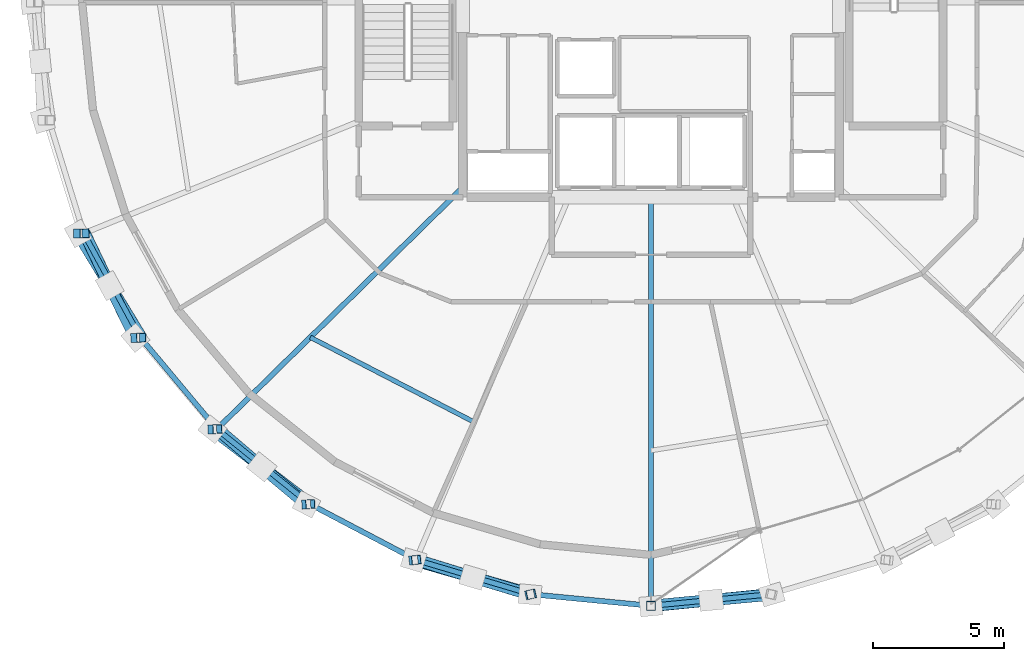
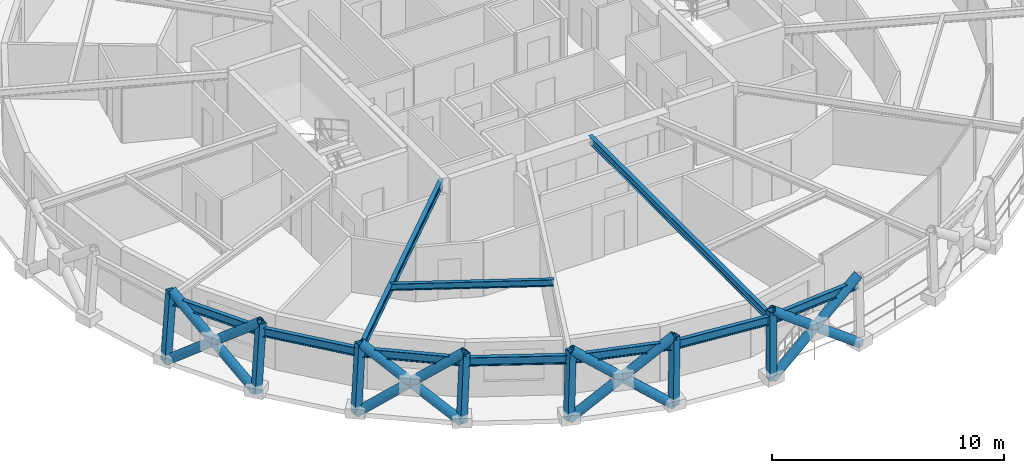
# One storey, part 1 of 16: 19 members, 10 beams.
"""IFC4 building model written with IfcOpenShell, lengths in metres."""

from ifc_helpers import new_model, si_unit, direction, frame, origin, origin_2d, place, context, subcontext, project, spatial, hollow_rectangle, hollow_circle, i_section, extrude, material, material_profile, profile_set, type_object, element, save


model = new_model("IFC4")

# Units and contexts
model_context = context("Model", 3, precision=1e-05, world=origin(), true_north=direction((0.0, 1.0)))
body_context = subcontext(model_context, "Body", "Model", "MODEL_VIEW")
ifc_project = project(units=[si_unit("LENGTHUNIT", "METRE"), si_unit("AREAUNIT", "SQUARE_METRE"), si_unit("VOLUMEUNIT", "CUBIC_METRE"), si_unit("PLANEANGLEUNIT", "RADIAN"), si_unit("MASSUNIT", "GRAM", prefix="KILO")], contexts=[model_context])

# Site, building, storey
site_placement = place(None, origin())
site = spatial("IfcSite", under=ifc_project, at=site_placement, CompositionType="ELEMENT")
building_placement = place(site_placement, origin())
building = spatial("IfcBuilding", under=site, at=building_placement, Name="Veldorina Hangang Commons", CompositionType="ELEMENT")
storey_placement = place(building_placement, frame((0.0, 0.0, 240.0)))
storey = spatial("IfcBuildingStorey", under=building, at=storey_placement, Name="L62", CompositionType="ELEMENT", Elevation=240.0)

# Beams
ifc_material = material(Name="Steel SM355-TMC", Category="steel")
ifc_material_profile_1 = material_profile(ifc_material, i_section(OverallWidth=0.199951171875, OverallDepth=0.39990234375, WebThickness=0.008056640625, FlangeThickness=0.012939453125, FilletRadius=0.012939453125, at=origin_2d()), Name="H-400x200x8x13")
ifc_profile_set_1 = profile_set([ifc_material_profile_1], Name="Steel SM355-TMC")
beam_type_1 = type_object("IfcBeamType", Name="BM-FG400", PredefinedType="BEAM", material=ifc_profile_set_1)
beam_1_placement = place(storey_placement, frame((24.800048828125, 16.92431640625, 3.159912109375), z_axis=(-0.713224264229, -0.700935909278, 0.0), x_axis=(0.700935909278, -0.713224264229, 0.0)))
element("IfcBeam", 1, at=beam_1_placement, inside=storey, type_object=beam_type_1, Name="L62 radial floor girder 11", PredefinedType="BEAM", context=body_context, shape_type="SweptSolid", body=[
    extrude(i_section(OverallWidth=0.199951171875, OverallDepth=0.39990234375, WebThickness=0.008056640625, FlangeThickness=0.012939453125, FilletRadius=0.012939453125, at=origin_2d()), origin(), (0.0, 0.0, 1.0), 13.192138671875),
])
beam_2_placement = place(storey_placement, frame((32.0, 16.550048828125, 3.159912109375), z_axis=(0.0, -1.0, 0.0), x_axis=(1.0, 0.0, 0.0)))
element("IfcBeam", 2, at=beam_2_placement, inside=storey, type_object=beam_type_1, Name="L62 radial floor girder 13", PredefinedType="BEAM", context=body_context, shape_type="SweptSolid", body=[
    extrude(i_section(OverallWidth=0.199951171875, OverallDepth=0.39990234375, WebThickness=0.008056640625, FlangeThickness=0.012939453125, FilletRadius=0.012939453125, at=origin_2d()), origin(), (0.0, 0.0, 1.0), 15.633544921875),
])
ifc_material_profile_2 = material_profile(ifc_material, i_section(OverallWidth=0.175048828125, OverallDepth=0.35009765625, WebThickness=0.007080078125, FlangeThickness=0.010986328125, FilletRadius=0.012939453125, at=origin_2d()), Name="H-350x175x7x11")
ifc_profile_set_2 = profile_set([ifc_material_profile_2], Name="Steel SM355-TMC")
beam_type_2 = type_object("IfcBeamType", Name="BM-JST350", PredefinedType="JOIST", material=ifc_profile_set_2)
beam_3_placement = place(storey_placement, frame((18.966552734375, 11.19140625, 3.18505859375), z_axis=(0.888049646343, -0.45974756729, 0.0), x_axis=(0.45974756729, 0.888049646343, 0.0)))
element("IfcBeam", 3, at=beam_3_placement, inside=storey, type_object=beam_type_2, Name="L62 secondary floor joist 11", PredefinedType="JOIST", context=body_context, shape_type="SweptSolid", body=[
    extrude(i_section(OverallWidth=0.175048828125, OverallDepth=0.35009765625, WebThickness=0.007080078125, FlangeThickness=0.010986328125, FilletRadius=0.012939453125, at=origin_2d()), origin(), (0.0, 0.0, 1.0), 7.057373046875),
])
ifc_material_profile_3 = material_profile(ifc_material, i_section(OverallWidth=0.199951171875, OverallDepth=0.449951171875, WebThickness=0.009033203125, FlangeThickness=0.013916015625, FilletRadius=0.01611328125, at=origin_2d()), Name="H-450x200x9x14")
ifc_profile_set_3 = profile_set([ifc_material_profile_3], Name="Steel SM355-TMC")
beam_type_3 = type_object("IfcBeamType", Name="BM-RB450", PredefinedType="BEAM", material=ifc_profile_set_3)
beam_4_placement = place(storey_placement, frame((10.299560546875, 15.16650390625, 3.135009765625), z_axis=(0.477793774257, -0.878472031018, 0.0), x_axis=(0.878472031018, 0.477793774257, 0.0)))
element("IfcBeam", 4, at=beam_4_placement, inside=storey, type_object=beam_type_3, Name="L62 perimeter hoop ring beam 18", PredefinedType="BEAM", context=body_context, shape_type="SweptSolid", body=[
    extrude(i_section(OverallWidth=0.199951171875, OverallDepth=0.449951171875, WebThickness=0.009033203125, FlangeThickness=0.013916015625, FilletRadius=0.01611328125, at=origin_2d()), origin(), (0.0, 0.0, 1.0), 4.54296875),
])
beam_5_placement = place(storey_placement, frame((12.47021484375, 11.175537109375, 3.135009765625), z_axis=(0.640942886525, -0.767588572227, 0.0), x_axis=(0.767588572227, 0.640942886525, 0.0)))
element("IfcBeam", 5, at=beam_5_placement, inside=storey, type_object=beam_type_3, Name="L62 perimeter hoop ring beam 19", PredefinedType="BEAM", context=body_context, shape_type="SweptSolid", body=[
    extrude(i_section(OverallWidth=0.199951171875, OverallDepth=0.449951171875, WebThickness=0.009033203125, FlangeThickness=0.013916015625, FilletRadius=0.01611328125, at=origin_2d()), origin(), (0.0, 0.0, 1.0), 4.55712890625),
])
beam_6_placement = place(storey_placement, frame((15.39111328125, 7.677490234375, 3.135009765625), z_axis=(0.778414722613, -0.627750364093, 0.0), x_axis=(0.627750364093, 0.778414722613, 0.0)))
element("IfcBeam", 6, at=beam_6_placement, inside=storey, type_object=beam_type_3, Name="L62 perimeter hoop ring beam 20", PredefinedType="BEAM", context=body_context, shape_type="SweptSolid", body=[
    extrude(i_section(OverallWidth=0.199951171875, OverallDepth=0.449951171875, WebThickness=0.009033203125, FlangeThickness=0.013916015625, FilletRadius=0.01611328125, at=origin_2d()), origin(), (0.0, 0.0, 1.0), 4.57275390625),
])
beam_7_placement = place(storey_placement, frame((18.95068359375, 4.806884765625, 3.135009765625), z_axis=(0.885295472957, -0.465028951315, 0.0), x_axis=(0.465028951315, 0.885295472957, 0.0)))
element("IfcBeam", 7, at=beam_7_placement, inside=storey, type_object=beam_type_3, Name="L62 perimeter hoop ring beam 21", PredefinedType="BEAM", context=body_context, shape_type="SweptSolid", body=[
    extrude(i_section(OverallWidth=0.199951171875, OverallDepth=0.449951171875, WebThickness=0.009033203125, FlangeThickness=0.013916015625, FilletRadius=0.01611328125, at=origin_2d()), origin(), (0.0, 0.0, 1.0), 4.5869140625),
])
beam_8_placement = place(storey_placement, frame((23.011474609375, 2.673828125, 3.135009765625), z_axis=(0.958308680309, -0.285734970286, 0.0), x_axis=(0.285734970286, 0.958308680309, 0.0)))
element("IfcBeam", 8, at=beam_8_placement, inside=storey, type_object=beam_type_3, Name="L62 perimeter hoop ring beam 22", PredefinedType="BEAM", context=body_context, shape_type="SweptSolid", body=[
    extrude(i_section(OverallWidth=0.199951171875, OverallDepth=0.449951171875, WebThickness=0.009033203125, FlangeThickness=0.013916015625, FilletRadius=0.01611328125, at=origin_2d()), origin(), (0.0, 0.0, 1.0), 4.59765625),
])
for number, where, z_axis, x_axis, name in (
    (9, (27.41748046875, 1.360107421875, 3.135009765625), (0.995347225036, -0.096353005215, 0.0), (0.096353005215, 0.995347225036, 0.0), "L62 perimeter hoop ring beam 23"),
    (10, (32.0, 0.91650390625, 3.135009765625), (0.995347225036, 0.096353005215, 0.0), (-0.096353005215, 0.995347225036, 0.0), "L62 perimeter hoop ring beam 24"),
):
    element("IfcBeam", number, at=place(storey_placement, frame(where, z_axis=z_axis, x_axis=x_axis)), inside=storey, type_object=beam_type_3, Name=name, PredefinedType="BEAM", context=body_context, shape_type="SweptSolid", body=[
        extrude(i_section(OverallWidth=0.199951171875, OverallDepth=0.449951171875, WebThickness=0.009033203125, FlangeThickness=0.013916015625, FilletRadius=0.01611328125, at=origin_2d()), origin(), (0.0, 0.0, 1.0), 4.60400390625),
    ])

# Members
ifc_material_profile_4 = material_profile(ifc_material, hollow_circle(Radius=0.22509765625, WallThickness=0.02197265625, at=origin_2d()), Name="CHS-450x22")
ifc_profile_set_4 = profile_set([ifc_material_profile_4], Name="Steel SM355-TMC")
member_type_1 = type_object("IfcMemberType", Name="DG-CHS450", PredefinedType="BRACE", material=ifc_profile_set_4)
member_1_placement = place(storey_placement, frame((10.08056640625, 15.162353515625, 0.0), z_axis=(0.410646455458, -0.676646551454, 0.611161953188), x_axis=(0.854885394744, 0.51881688663, 0.0)))
element("IfcMember", 11, at=member_1_placement, inside=storey, type_object=member_type_1, Name="L62 continuous perimeter diagrid brace 18", PredefinedType="BRACE", context=body_context, shape_type="SweptSolid", body=[
    extrude(hollow_circle(Radius=0.22509765625, WallThickness=0.02197265625, at=origin_2d()), origin(), (0.0, 0.0, 1.0), 5.890625),
])
member_2_placement = place(storey_placement, frame((12.273193359375, 11.169677734375, 0.0), z_axis=(-0.342747567663, 0.697261096604, 0.629564188962), x_axis=(-0.897435440725, -0.44114581459, 0.0)))
element("IfcMember", 12, at=member_2_placement, inside=storey, type_object=member_type_1, Name="L62 split perimeter diagrid lower brace 19", PredefinedType="BRACE", context=body_context, shape_type="SweptSolid", body=[
    extrude(hollow_circle(Radius=0.22509765625, WallThickness=0.02197265625, at=origin_2d()), origin(), (0.0, 0.0, 1.0), 2.863525390625),
])
member_3_placement = place(storey_placement, frame((11.291748046875, 13.166259765625, 1.802734375), z_axis=(-0.336081333869, 0.70063254415, 0.629415105556), x_axis=(-0.901634623813, -0.432498560855, 0.0)))
element("IfcMember", 13, at=member_3_placement, inside=storey, type_object=member_type_1, Name="L62 split perimeter diagrid upper brace 19", PredefinedType="BRACE", context=body_context, shape_type="SweptSolid", body=[
    extrude(hollow_circle(Radius=0.22509765625, WallThickness=0.02197265625, at=origin_2d()), origin(), (0.0, 0.0, 1.0), 2.855712890625),
])
member_4_placement = place(storey_placement, frame((15.2236328125, 7.670166015625, 0.0), z_axis=(0.631585229019, -0.482475800846, 0.606891423636), x_axis=(0.607052161522, 0.794661986754, 0.0)))
element("IfcMember", 14, at=member_4_placement, inside=storey, type_object=member_type_1, Name="L62 continuous perimeter diagrid brace 20", PredefinedType="BRACE", context=body_context, shape_type="SweptSolid", body=[
    extrude(hollow_circle(Radius=0.22509765625, WallThickness=0.02197265625, at=origin_2d()), origin(), (0.0, 0.0, 1.0), 5.93212890625),
])
member_5_placement = place(storey_placement, frame((18.81884765625, 4.798095703125, 0.0), z_axis=(-0.596590203857, 0.499366209633, 0.628262299791), x_axis=(-0.641857564941, -0.76682388221, 0.0)))
element("IfcMember", 15, at=member_5_placement, inside=storey, type_object=member_type_1, Name="L62 split perimeter diagrid lower brace 21", PredefinedType="BRACE", context=body_context, shape_type="SweptSolid", body=[
    extrude(hollow_circle(Radius=0.22509765625, WallThickness=0.02197265625, at=origin_2d()), origin(), (0.0, 0.0, 1.0), 2.875244140625),
])
member_6_placement = place(storey_placement, frame((17.103515625, 6.23388671875, 1.806396484375), z_axis=(-0.59101348176, 0.506021091588, 0.628208340638), x_axis=(-0.650374957041, -0.759613332725, 0.0)))
element("IfcMember", 16, at=member_6_placement, inside=storey, type_object=member_type_1, Name="L62 split perimeter diagrid upper brace 21", PredefinedType="BRACE", context=body_context, shape_type="SweptSolid", body=[
    extrude(hollow_circle(Radius=0.22509765625, WallThickness=0.02197265625, at=origin_2d()), origin(), (0.0, 0.0, 1.0), 2.855224609375),
])
member_7_placement = place(storey_placement, frame((22.920654296875, 2.6640625, 0.0), z_axis=(0.761933739674, -0.22030326146, 0.609034850674), x_axis=(0.277759664082, 0.960650596736, 0.0)))
element("IfcMember", 17, at=member_7_placement, inside=storey, type_object=member_type_1, Name="L62 continuous perimeter diagrid brace 22", PredefinedType="BRACE", context=body_context, shape_type="SweptSolid", body=[
    extrude(hollow_circle(Radius=0.22509765625, WallThickness=0.02197265625, at=origin_2d()), origin(), (0.0, 0.0, 1.0), 5.9111328125),
])
member_8_placement = place(storey_placement, frame((27.371337890625, 1.349853515625, 0.0), z_axis=(-0.750423375396, 0.226375344459, 0.620982255045), x_axis=(-0.288808667074, -0.95738683604, 0.0)))
element("IfcMember", 18, at=member_8_placement, inside=storey, type_object=member_type_1, Name="L62 split perimeter diagrid lower brace 23", PredefinedType="BRACE", context=body_context, shape_type="SweptSolid", body=[
    extrude(hollow_circle(Radius=0.22509765625, WallThickness=0.02197265625, at=origin_2d()), origin(), (0.0, 0.0, 1.0), 2.9140625),
])
member_9_placement = place(storey_placement, frame((25.1845703125, 2.009521484375, 1.8095703125), z_axis=(-0.7490270518, 0.230906259356, 0.62099981889), x_axis=(-0.294594418262, -0.955622377683, 0.0)))
element("IfcMember", 19, at=member_9_placement, inside=storey, type_object=member_type_1, Name="L62 split perimeter diagrid upper brace 23", PredefinedType="BRACE", context=body_context, shape_type="SweptSolid", body=[
    extrude(hollow_circle(Radius=0.22509765625, WallThickness=0.02197265625, at=origin_2d()), origin(), (0.0, 0.0, 1.0), 2.88330078125),
])
member_10_placement = place(storey_placement, frame((32.0, 0.906005859375, 0.0), z_axis=(0.783494231571, 0.078052597532, 0.616477559295), x_axis=(-0.099130462045, 0.995074445202, 0.0)))
element("IfcMember", 20, at=member_10_placement, inside=storey, type_object=member_type_1, Name="L62 continuous perimeter diagrid brace 24", PredefinedType="BRACE", context=body_context, shape_type="SweptSolid", body=[
    extrude(hollow_circle(Radius=0.22509765625, WallThickness=0.02197265625, at=origin_2d()), origin(), (0.0, 0.0, 1.0), 5.83984375),
])
member_11_placement = place(storey_placement, frame((36.628662109375, 1.349853515625, 0.0), z_axis=(-0.787314837592, -0.072579941504, 0.612264239197), x_axis=(0.091797440922, -0.995777701016, 0.0)))
element("IfcMember", 21, at=member_11_placement, inside=storey, type_object=member_type_1, Name="L62 split perimeter diagrid lower brace 25", PredefinedType="BRACE", context=body_context, shape_type="SweptSolid", body=[
    extrude(hollow_circle(Radius=0.22509765625, WallThickness=0.02197265625, at=origin_2d()), origin(), (0.0, 0.0, 1.0), 2.956787109375),
])
member_12_placement = place(storey_placement, frame((34.30078125, 1.13525390625, 1.810302734375), z_axis=(-0.787123731075, -0.074252228027, 0.612309430445), x_axis=(0.093916667549, -0.995580061852, 0.0)))
element("IfcMember", 22, at=member_12_placement, inside=storey, type_object=member_type_1, Name="L62 split perimeter diagrid upper brace 25", PredefinedType="BRACE", context=body_context, shape_type="SweptSolid", body=[
    extrude(hollow_circle(Radius=0.22509765625, WallThickness=0.02197265625, at=origin_2d()), origin(), (0.0, 0.0, 1.0), 2.923095703125),
])
ifc_material_profile_5 = material_profile(ifc_material, hollow_rectangle(XDim=0.35009765625, YDim=0.35009765625, WallThickness=0.01611328125, at=origin_2d()), Name="SHS-350x350x16")
ifc_profile_set_5 = profile_set([ifc_material_profile_5], Name="Steel SM355-TMC")
member_type_2 = type_object("IfcMemberType", Name="STR-SHS350", PredefinedType="STRUT", material=ifc_profile_set_5)
member_13_placement = place(storey_placement, frame((10.08056640625, 15.162353515625, 0.0), z_axis=(0.069679618288, 0.001285352182, 0.997568593464), x_axis=(-0.018443464264, 0.999829904847, 0.0)))
element("IfcMember", 23, at=member_13_placement, inside=storey, type_object=member_type_2, Name="L62 perimeter ring node post 18", PredefinedType="STRUT", context=body_context, shape_type="SweptSolid", body=[
    extrude(hollow_rectangle(XDim=0.35009765625, YDim=0.35009765625, WallThickness=0.01611328125, at=origin_2d()), origin(), (0.0, 0.0, 1.0), 3.60888671875),
])
member_14_placement = place(storey_placement, frame((12.273193359375, 11.169677734375, 0.0), z_axis=(0.06274054137, 0.001895075683, 0.998028072329), x_axis=(-0.030191193071, 0.999544142027, 0.0)))
element("IfcMember", 24, at=member_14_placement, inside=storey, type_object=member_type_2, Name="L62 perimeter ring node post 19", PredefinedType="STRUT", context=body_context, shape_type="SweptSolid", body=[
    extrude(hollow_rectangle(XDim=0.35009765625, YDim=0.35009765625, WallThickness=0.01611328125, at=origin_2d()), origin(), (0.0, 0.0, 1.0), 3.607177734375),
])
member_15_placement = place(storey_placement, frame((15.2236328125, 7.670166015625, 0.0), z_axis=(0.053361933428, 0.002370136637, 0.99857242427), x_axis=(-0.04437249613, 0.999015055736, 0.0)))
element("IfcMember", 25, at=member_15_placement, inside=storey, type_object=member_type_2, Name="L62 perimeter ring node post 20", PredefinedType="STRUT", context=body_context, shape_type="SweptSolid", body=[
    extrude(hollow_rectangle(XDim=0.35009765625, YDim=0.35009765625, WallThickness=0.01611328125, at=origin_2d()), origin(), (0.0, 0.0, 1.0), 3.605224609375),
])
member_16_placement = place(storey_placement, frame((18.81884765625, 4.798095703125, 0.0), z_axis=(0.042008023539, 0.002777949944, 0.999113411457), x_axis=(-0.065984912024, 0.997820620846, 0.0)))
element("IfcMember", 26, at=member_16_placement, inside=storey, type_object=member_type_2, Name="L62 perimeter ring node post 21", PredefinedType="STRUT", context=body_context, shape_type="SweptSolid", body=[
    extrude(hollow_rectangle(XDim=0.35009765625, YDim=0.35009765625, WallThickness=0.01611328125, at=origin_2d()), origin(), (0.0, 0.0, 1.0), 3.603271484375),
])
member_17_placement = place(storey_placement, frame((22.920654296875, 2.6640625, 0.0), z_axis=(0.028944731861, 0.003118167835, 0.999576149939), x_axis=(-0.107108611239, 0.994247326071, 0.0)))
element("IfcMember", 27, at=member_17_placement, inside=storey, type_object=member_type_2, Name="L62 perimeter ring node post 22", PredefinedType="STRUT", context=body_context, shape_type="SweptSolid", body=[
    extrude(hollow_rectangle(XDim=0.35009765625, YDim=0.35009765625, WallThickness=0.01611328125, at=origin_2d()), origin(), (0.0, 0.0, 1.0), 3.6015625),
])
member_18_placement = place(storey_placement, frame((27.371337890625, 1.349853515625, 0.0), z_axis=(0.014781973284, 0.003322553628, 0.999885220364), x_axis=(-0.219299197918, 0.975657656042, 0.0)))
element("IfcMember", 28, at=member_18_placement, inside=storey, type_object=member_type_2, Name="L62 perimeter ring node post 23", PredefinedType="STRUT", context=body_context, shape_type="SweptSolid", body=[
    extrude(hollow_rectangle(XDim=0.35009765625, YDim=0.35009765625, WallThickness=0.01611328125, at=origin_2d()), origin(), (0.0, 0.0, 1.0), 3.6005859375),
])
member_19_placement = place(storey_placement, frame((32.0, 0.906005859375, 0.0), z_axis=(0.0, 0.003390730542, 0.999994251457), x_axis=(-1.0, 0.0, 0.0)))
element("IfcMember", 29, at=member_19_placement, inside=storey, type_object=member_type_2, Name="L62 perimeter ring node post 24", PredefinedType="STRUT", context=body_context, shape_type="SweptSolid", body=[
    extrude(hollow_rectangle(XDim=0.35009765625, YDim=0.35009765625, WallThickness=0.01611328125, at=origin_2d()), origin(), (0.0, 0.0, 1.0), 3.60009765625),
])

save(model, "model.ifc")
